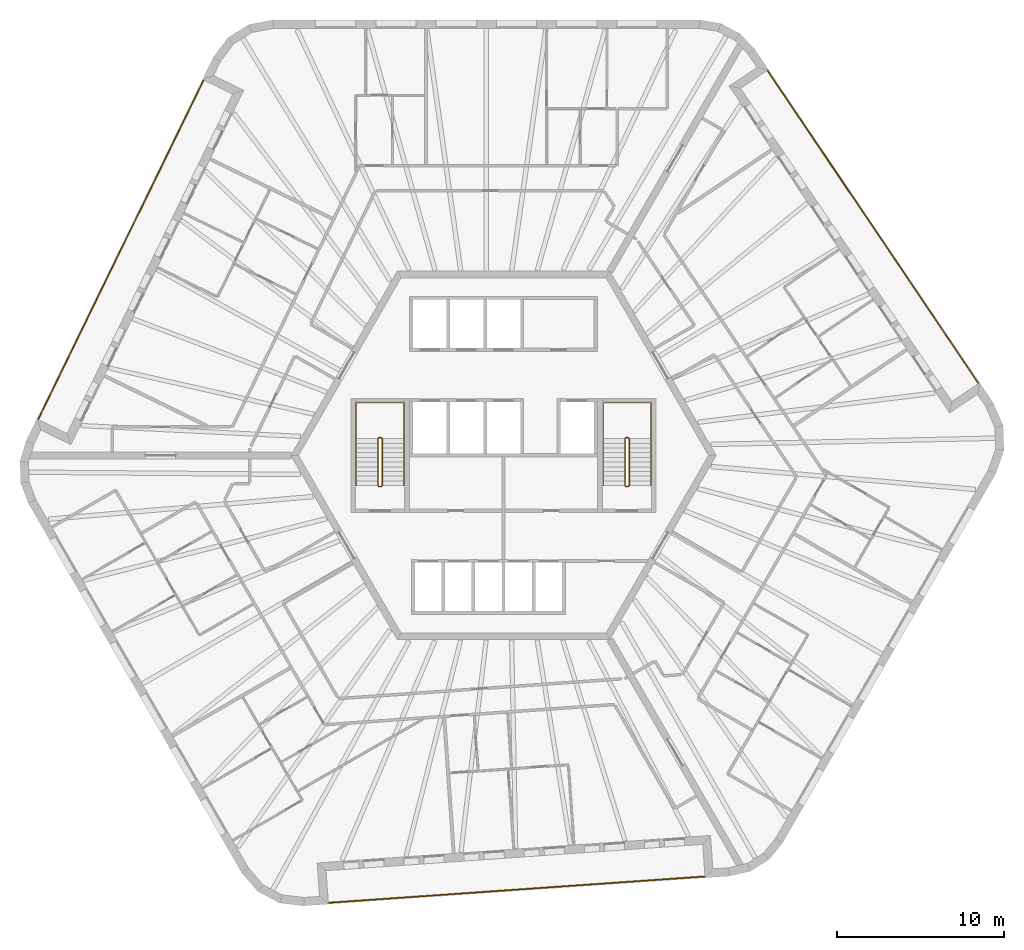
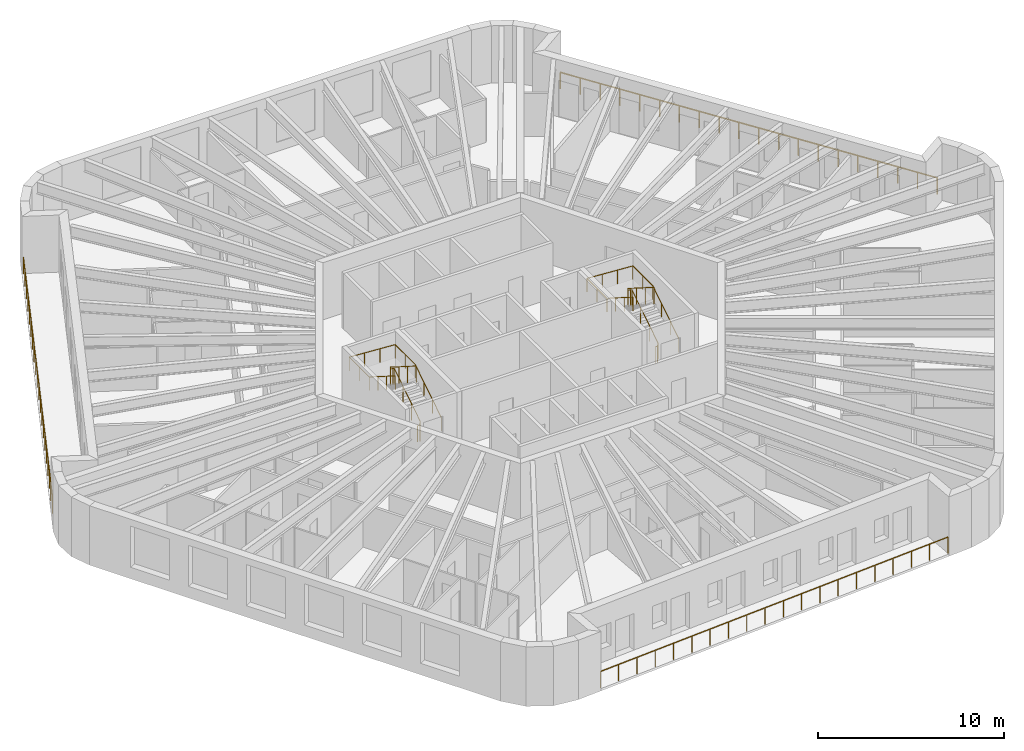
# One storey, part 12 of 12: 7 railings.
"""IFC4 building model written with IfcOpenShell, lengths in metres."""

from ifc_helpers import new_model, si_unit, direction, frame, origin, origin_2d, place, context, subcontext, project, spatial, circle, extrude, material, type_object, element, save


model = new_model("IFC4")

# Units and contexts
model_context = context("Model", 3, precision=1e-05, world=origin(), true_north=direction((0.0, 1.0)))
body_context = subcontext(model_context, "Body", "Model", "MODEL_VIEW")
ifc_project = project(units=[si_unit("LENGTHUNIT", "METRE"), si_unit("AREAUNIT", "SQUARE_METRE"), si_unit("VOLUMEUNIT", "CUBIC_METRE"), si_unit("PLANEANGLEUNIT", "RADIAN"), si_unit("MASSUNIT", "GRAM", prefix="KILO")], contexts=[model_context])

# Site, building, storey
site_placement = place(None, origin())
site = spatial("IfcSite", under=ifc_project, at=site_placement, CompositionType="ELEMENT")
building_placement = place(site_placement, origin())
building = spatial("IfcBuilding", under=site, at=building_placement, Name="Tarnside Tower", CompositionType="ELEMENT")
storey_placement = place(building_placement, frame((0.0, 0.0, 264.0)))
storey = spatial("IfcBuildingStorey", under=building, at=storey_placement, Name="L63", CompositionType="ELEMENT", Elevation=264.0)

# Railings
ifc_material_1 = material(Name="Toughened glass", Category="glass")
railing_type_1 = type_object("IfcRailingType", Name="Glass guard 1100", PredefinedType="GUARDRAIL", material=ifc_material_1)
railing_1_placement = place(storey_placement, frame((-17.906005859375, 22.415283203125, 0.0)))
element("IfcRailing", 1, at=railing_1_placement, inside=storey, type_object=railing_type_1, Name="Loggia guard L63 F2", PredefinedType="GUARDRAIL", context=body_context, shape_type="SweptSolid", body=[
    extrude(circle(Radius=0.030029296875, at=origin_2d()), frame((0.0, 0.0, 1.070068359375), z_axis=(-0.438372639335, -0.898793318335, 0.0), x_axis=(0.898793318335, -0.438372639335, 0.0)), (0.0, 0.0, 1.0), 22.544921875),
    extrude(circle(Radius=0.02490234375, at=origin_2d()), origin(), (0.0, 0.0, 1.0), 1.0400390625),
    extrude(circle(Radius=0.02490234375, at=origin_2d()), frame((-0.520263671875, -1.06640625, 0.0)), (0.0, 0.0, 1.0), 1.0400390625),
    extrude(circle(Radius=0.02490234375, at=origin_2d()), frame((-1.040283203125, -2.133056640625, 0.0)), (0.0, 0.0, 1.0), 1.0400390625),
    extrude(circle(Radius=0.02490234375, at=origin_2d()), frame((-1.560546875, -3.199462890625, 0.0)), (0.0, 0.0, 1.0), 1.0400390625),
    extrude(circle(Radius=0.02490234375, at=origin_2d()), frame((-2.08056640625, -4.265869140625, 0.0)), (0.0, 0.0, 1.0), 1.0400390625),
    extrude(circle(Radius=0.02490234375, at=origin_2d()), frame((-2.600830078125, -5.33251953125, 0.0)), (0.0, 0.0, 1.0), 1.0400390625),
    extrude(circle(Radius=0.02490234375, at=origin_2d()), frame((-3.120849609375, -6.39892578125, 0.0)), (0.0, 0.0, 1.0), 1.0400390625),
    extrude(circle(Radius=0.02490234375, at=origin_2d()), frame((-3.64111328125, -7.46533203125, 0.0)), (0.0, 0.0, 1.0), 1.0400390625),
    extrude(circle(Radius=0.02490234375, at=origin_2d()), frame((-4.161376953125, -8.531982421875, 0.0)), (0.0, 0.0, 1.0), 1.0400390625),
    extrude(circle(Radius=0.02490234375, at=origin_2d()), frame((-4.681396484375, -9.598388671875, 0.0)), (0.0, 0.0, 1.0), 1.0400390625),
    extrude(circle(Radius=0.02490234375, at=origin_2d()), frame((-5.20166015625, -10.664794921875, 0.0)), (0.0, 0.0, 1.0), 1.0400390625),
    extrude(circle(Radius=0.02490234375, at=origin_2d()), frame((-5.7216796875, -11.731201171875, 0.0)), (0.0, 0.0, 1.0), 1.0400390625),
    extrude(circle(Radius=0.02490234375, at=origin_2d()), frame((-6.241943359375, -12.7978515625, 0.0)), (0.0, 0.0, 1.0), 1.0400390625),
    extrude(circle(Radius=0.02490234375, at=origin_2d()), frame((-6.76220703125, -13.8642578125, 0.0)), (0.0, 0.0, 1.0), 1.0400390625),
    extrude(circle(Radius=0.02490234375, at=origin_2d()), frame((-7.2822265625, -14.9306640625, 0.0)), (0.0, 0.0, 1.0), 1.0400390625),
    extrude(circle(Radius=0.02490234375, at=origin_2d()), frame((-7.802490234375, -15.997314453125, 0.0)), (0.0, 0.0, 1.0), 1.0400390625),
    extrude(circle(Radius=0.02490234375, at=origin_2d()), frame((-8.322509765625, -17.063720703125, 0.0)), (0.0, 0.0, 1.0), 1.0400390625),
    extrude(circle(Radius=0.02490234375, at=origin_2d()), frame((-8.8427734375, -18.130126953125, 0.0)), (0.0, 0.0, 1.0), 1.0400390625),
    extrude(circle(Radius=0.02490234375, at=origin_2d()), frame((-9.36279296875, -19.19677734375, 0.0)), (0.0, 0.0, 1.0), 1.0400390625),
    extrude(circle(Radius=0.02490234375, at=origin_2d()), frame((-9.883056640625, -20.26318359375, 0.0)), (0.0, 0.0, 1.0), 1.0400390625),
])
railing_2_placement = place(storey_placement, frame((-10.458984375, -26.714599609375, 0.0)))
element("IfcRailing", 2, at=railing_2_placement, inside=storey, type_object=railing_type_1, Name="Loggia guard L63 F4", PredefinedType="GUARDRAIL", context=body_context, shape_type="SweptSolid", body=[
    extrude(circle(Radius=0.030029296875, at=origin_2d()), frame((0.0, 0.0, 1.070068359375), z_axis=(0.997564440639, 0.069750890837, 0.0), x_axis=(-0.069750890837, 0.997564440639, 0.0)), (0.0, 0.0, 1.0), 22.544677734375),
    extrude(circle(Radius=0.02490234375, at=origin_2d()), origin(), (0.0, 0.0, 1.0), 1.0400390625),
    extrude(circle(Radius=0.02490234375, at=origin_2d()), frame((1.18359375, 0.082763671875, 0.0)), (0.0, 0.0, 1.0), 1.0400390625),
    extrude(circle(Radius=0.02490234375, at=origin_2d()), frame((2.367431640625, 0.16552734375, 0.0)), (0.0, 0.0, 1.0), 1.0400390625),
    extrude(circle(Radius=0.02490234375, at=origin_2d()), frame((3.551025390625, 0.248291015625, 0.0)), (0.0, 0.0, 1.0), 1.0400390625),
    extrude(circle(Radius=0.02490234375, at=origin_2d()), frame((4.734619140625, 0.3310546875, 0.0)), (0.0, 0.0, 1.0), 1.0400390625),
    extrude(circle(Radius=0.02490234375, at=origin_2d()), frame((5.91845703125, 0.413818359375, 0.0)), (0.0, 0.0, 1.0), 1.0400390625),
    extrude(circle(Radius=0.02490234375, at=origin_2d()), frame((7.10205078125, 0.49658203125, 0.0)), (0.0, 0.0, 1.0), 1.0400390625),
    extrude(circle(Radius=0.02490234375, at=origin_2d()), frame((8.28564453125, 0.579345703125, 0.0)), (0.0, 0.0, 1.0), 1.0400390625),
    extrude(circle(Radius=0.02490234375, at=origin_2d()), frame((9.469482421875, 0.662109375, 0.0)), (0.0, 0.0, 1.0), 1.0400390625),
    extrude(circle(Radius=0.02490234375, at=origin_2d()), frame((10.653076171875, 0.744873046875, 0.0)), (0.0, 0.0, 1.0), 1.0400390625),
    extrude(circle(Radius=0.02490234375, at=origin_2d()), frame((11.836669921875, 0.82763671875, 0.0)), (0.0, 0.0, 1.0), 1.0400390625),
    extrude(circle(Radius=0.02490234375, at=origin_2d()), frame((13.020263671875, 0.910400390625, 0.0)), (0.0, 0.0, 1.0), 1.0400390625),
    extrude(circle(Radius=0.02490234375, at=origin_2d()), frame((14.2041015625, 0.9931640625, 0.0)), (0.0, 0.0, 1.0), 1.0400390625),
    extrude(circle(Radius=0.02490234375, at=origin_2d()), frame((15.3876953125, 1.075927734375, 0.0)), (0.0, 0.0, 1.0), 1.0400390625),
    extrude(circle(Radius=0.02490234375, at=origin_2d()), frame((16.5712890625, 1.15869140625, 0.0)), (0.0, 0.0, 1.0), 1.0400390625),
    extrude(circle(Radius=0.02490234375, at=origin_2d()), frame((17.755126953125, 1.241455078125, 0.0)), (0.0, 0.0, 1.0), 1.0400390625),
    extrude(circle(Radius=0.02490234375, at=origin_2d()), frame((18.938720703125, 1.32421875, 0.0)), (0.0, 0.0, 1.0), 1.0400390625),
    extrude(circle(Radius=0.02490234375, at=origin_2d()), frame((20.122314453125, 1.406982421875, 0.0)), (0.0, 0.0, 1.0), 1.0400390625),
    extrude(circle(Radius=0.02490234375, at=origin_2d()), frame((21.30615234375, 1.48974609375, 0.0)), (0.0, 0.0, 1.0), 1.0400390625),
    extrude(circle(Radius=0.02490234375, at=origin_2d()), frame((22.48974609375, 1.572509765625, 0.0)), (0.0, 0.0, 1.0), 1.0400390625),
])
railing_3_placement = place(storey_placement, frame((28.365234375, 4.299560546875, 0.0)))
element("IfcRailing", 3, at=railing_3_placement, inside=storey, type_object=railing_type_1, Name="Loggia guard L63 F6", PredefinedType="GUARDRAIL", context=body_context, shape_type="SweptSolid", body=[
    extrude(circle(Radius=0.030029296875, at=origin_2d()), frame((0.0, 0.0, 1.070068359375), z_axis=(-0.559195329741, 0.82903593601, 0.0), x_axis=(-0.82903593601, -0.559195329741, 0.0)), (0.0, 0.0, 1.0), 22.544677734375),
    extrude(circle(Radius=0.02490234375, at=origin_2d()), origin(), (0.0, 0.0, 1.0), 1.0400390625),
    extrude(circle(Radius=0.02490234375, at=origin_2d()), frame((-0.66357421875, 0.983642578125, 0.0)), (0.0, 0.0, 1.0), 1.0400390625),
    extrude(circle(Radius=0.02490234375, at=origin_2d()), frame((-1.3271484375, 1.967529296875, 0.0)), (0.0, 0.0, 1.0), 1.0400390625),
    extrude(circle(Radius=0.02490234375, at=origin_2d()), frame((-1.990478515625, 2.951171875, 0.0)), (0.0, 0.0, 1.0), 1.0400390625),
    extrude(circle(Radius=0.02490234375, at=origin_2d()), frame((-2.654052734375, 3.934814453125, 0.0)), (0.0, 0.0, 1.0), 1.0400390625),
    extrude(circle(Radius=0.02490234375, at=origin_2d()), frame((-3.317626953125, 4.91845703125, 0.0)), (0.0, 0.0, 1.0), 1.0400390625),
    extrude(circle(Radius=0.02490234375, at=origin_2d()), frame((-3.981201171875, 5.90234375, 0.0)), (0.0, 0.0, 1.0), 1.0400390625),
    extrude(circle(Radius=0.02490234375, at=origin_2d()), frame((-4.644775390625, 6.885986328125, 0.0)), (0.0, 0.0, 1.0), 1.0400390625),
    extrude(circle(Radius=0.02490234375, at=origin_2d()), frame((-5.30810546875, 7.86962890625, 0.0)), (0.0, 0.0, 1.0), 1.0400390625),
    extrude(circle(Radius=0.02490234375, at=origin_2d()), frame((-5.9716796875, 8.853271484375, 0.0)), (0.0, 0.0, 1.0), 1.0400390625),
    extrude(circle(Radius=0.02490234375, at=origin_2d()), frame((-6.63525390625, 9.837158203125, 0.0)), (0.0, 0.0, 1.0), 1.0400390625),
    extrude(circle(Radius=0.02490234375, at=origin_2d()), frame((-7.298828125, 10.82080078125, 0.0)), (0.0, 0.0, 1.0), 1.0400390625),
    extrude(circle(Radius=0.02490234375, at=origin_2d()), frame((-7.962158203125, 11.804443359375, 0.0)), (0.0, 0.0, 1.0), 1.0400390625),
    extrude(circle(Radius=0.02490234375, at=origin_2d()), frame((-8.625732421875, 12.7880859375, 0.0)), (0.0, 0.0, 1.0), 1.0400390625),
    extrude(circle(Radius=0.02490234375, at=origin_2d()), frame((-9.289306640625, 13.77197265625, 0.0)), (0.0, 0.0, 1.0), 1.0400390625),
    extrude(circle(Radius=0.02490234375, at=origin_2d()), frame((-9.952880859375, 14.755615234375, 0.0)), (0.0, 0.0, 1.0), 1.0400390625),
    extrude(circle(Radius=0.02490234375, at=origin_2d()), frame((-10.616455078125, 15.7392578125, 0.0)), (0.0, 0.0, 1.0), 1.0400390625),
    extrude(circle(Radius=0.02490234375, at=origin_2d()), frame((-11.27978515625, 16.722900390625, 0.0)), (0.0, 0.0, 1.0), 1.0400390625),
    extrude(circle(Radius=0.02490234375, at=origin_2d()), frame((-11.943359375, 17.706787109375, 0.0)), (0.0, 0.0, 1.0), 1.0400390625),
    extrude(circle(Radius=0.02490234375, at=origin_2d()), frame((-12.60693359375, 18.6904296875, 0.0)), (0.0, 0.0, 1.0), 1.0400390625),
])
ifc_material_2 = material(Name="Stainless steel", Category="steel")
railing_type_2 = type_object("IfcRailingType", Name="Stair guard 1100", PredefinedType="GUARDRAIL", material=ifc_material_2)
railing_4_placement = place(storey_placement, frame((7.300048828125, -1.85009765625, 0.0)))
element("IfcRailing", 4, at=railing_4_placement, inside=storey, type_object=railing_type_2, Name="L63 ST1 stair guard 1", PredefinedType="GUARDRAIL", context=body_context, shape_type="SweptSolid", body=[
    extrude(circle(Radius=0.02392578125, at=origin_2d()), frame((0.0, 0.0, 1.076171875), z_axis=(1.0, 0.0, 0.0), x_axis=(0.0, 1.0, 0.0)), (0.0, 0.0, 1.0), 0.14990234375),
    extrude(circle(Radius=0.02392578125, at=origin_2d()), frame((0.14990234375, 0.0, 1.076171875), z_axis=(0.262233686654, 0.262233686654, 0.928691007369), x_axis=(-0.707106781187, 0.707106781187, 0.0)), (0.0, 0.0, 1.0), 0.19091796875),
    extrude(circle(Radius=0.02392578125, at=origin_2d()), frame((0.199951171875, 0.050048828125, 1.25341796875), z_axis=(0.0, 0.844908973607, 0.534910110503), x_axis=(-1.0, 0.0, 0.0)), (0.0, 0.0, 1.0), 3.31396484375),
    extrude(circle(Radius=0.02392578125, at=origin_2d()), frame((0.199951171875, 2.85009765625, 3.02587890625), z_axis=(-0.707106781187, 0.707106781187, 0.0), x_axis=(-0.707106781187, -0.707106781187, 0.0)), (0.0, 0.0, 1.0), 0.07080078125),
    extrude(circle(Radius=0.02392578125, at=origin_2d()), frame((0.14990234375, 2.900146484375, 3.02587890625), z_axis=(-1.0, 0.0, 0.0), x_axis=(0.0, -1.0, 0.0)), (0.0, 0.0, 1.0), 0.14990234375),
    extrude(circle(Radius=0.02392578125, at=origin_2d()), frame((0.0, 2.900146484375, 3.02587890625), z_axis=(-0.262233686654, -0.262233686654, 0.928691007369), x_axis=(0.707106781187, -0.707106781187, 0.0)), (0.0, 0.0, 1.0), 0.19091796875),
    extrude(circle(Radius=0.02392578125, at=origin_2d()), frame((-0.050048828125, 2.85009765625, 3.203125), z_axis=(0.0, -0.844908973607, 0.534910110503), x_axis=(1.0, 0.0, 0.0)), (0.0, 0.0, 1.0), 3.31396484375),
    extrude(circle(Radius=0.02099609375, at=origin_2d()), origin(), (0.0, 0.0, 1.0), 1.052001953125),
    extrude(circle(Radius=0.02099609375, at=origin_2d()), frame((0.14990234375, 0.0, 0.0)), (0.0, 0.0, 1.0), 1.052001953125),
    extrude(circle(Radius=0.02099609375, at=origin_2d()), frame((0.199951171875, 0.050048828125, 0.17724609375)), (0.0, 0.0, 1.0), 1.052001953125),
    extrude(circle(Radius=0.02099609375, at=origin_2d()), frame((0.199951171875, 0.9833984375, 0.76806640625)), (0.0, 0.0, 1.0), 1.052001953125),
    extrude(circle(Radius=0.02099609375, at=origin_2d()), frame((0.199951171875, 1.916748046875, 1.359130859375)), (0.0, 0.0, 1.0), 1.052001953125),
    extrude(circle(Radius=0.02099609375, at=origin_2d()), frame((0.199951171875, 2.85009765625, 1.949951171875)), (0.0, 0.0, 1.0), 1.052001953125),
    extrude(circle(Radius=0.02099609375, at=origin_2d()), frame((0.14990234375, 2.900146484375, 1.949951171875)), (0.0, 0.0, 1.0), 1.052001953125),
    extrude(circle(Radius=0.02099609375, at=origin_2d()), frame((0.0, 2.900146484375, 1.949951171875)), (0.0, 0.0, 1.0), 1.052001953125),
    extrude(circle(Radius=0.02099609375, at=origin_2d()), frame((-0.050048828125, 2.85009765625, 2.127197265625)), (0.0, 0.0, 1.0), 1.052001953125),
    extrude(circle(Radius=0.02099609375, at=origin_2d()), frame((-0.050048828125, 1.916748046875, 2.718017578125)), (0.0, 0.0, 1.0), 1.052001953125),
    extrude(circle(Radius=0.02099609375, at=origin_2d()), frame((-0.050048828125, 0.9833984375, 3.30908203125)), (0.0, 0.0, 1.0), 1.052001953125),
    extrude(circle(Radius=0.02099609375, at=origin_2d()), frame((-0.050048828125, 0.050048828125, 3.89990234375)), (0.0, 0.0, 1.0), 1.052001953125),
])
railing_5_placement = place(storey_placement, frame((-7.449951171875, -1.85009765625, 0.0)))
element("IfcRailing", 5, at=railing_5_placement, inside=storey, type_object=railing_type_2, Name="L63 ST2 stair guard 1", PredefinedType="GUARDRAIL", context=body_context, shape_type="SweptSolid", body=[
    extrude(circle(Radius=0.02392578125, at=origin_2d()), frame((0.0, 0.0, 1.076171875), z_axis=(1.0, 0.0, 0.0), x_axis=(0.0, 1.0, 0.0)), (0.0, 0.0, 1.0), 0.14990234375),
    extrude(circle(Radius=0.02392578125, at=origin_2d()), frame((0.14990234375, 0.0, 1.076171875), z_axis=(0.262233686654, 0.262233686654, 0.928691007369), x_axis=(-0.707106781187, 0.707106781187, 0.0)), (0.0, 0.0, 1.0), 0.19091796875),
    extrude(circle(Radius=0.02392578125, at=origin_2d()), frame((0.199951171875, 0.050048828125, 1.25341796875), z_axis=(0.0, 0.844908973607, 0.534910110503), x_axis=(-1.0, 0.0, 0.0)), (0.0, 0.0, 1.0), 3.31396484375),
    extrude(circle(Radius=0.02392578125, at=origin_2d()), frame((0.199951171875, 2.85009765625, 3.02587890625), z_axis=(-0.707106781187, 0.707106781187, 0.0), x_axis=(-0.707106781187, -0.707106781187, 0.0)), (0.0, 0.0, 1.0), 0.07080078125),
    extrude(circle(Radius=0.02392578125, at=origin_2d()), frame((0.14990234375, 2.900146484375, 3.02587890625), z_axis=(-1.0, 0.0, 0.0), x_axis=(0.0, -1.0, 0.0)), (0.0, 0.0, 1.0), 0.14990234375),
    extrude(circle(Radius=0.02392578125, at=origin_2d()), frame((0.0, 2.900146484375, 3.02587890625), z_axis=(-0.262233686654, -0.262233686654, 0.928691007369), x_axis=(0.707106781187, -0.707106781187, 0.0)), (0.0, 0.0, 1.0), 0.19091796875),
    extrude(circle(Radius=0.02392578125, at=origin_2d()), frame((-0.050048828125, 2.85009765625, 3.203125), z_axis=(0.0, -0.844908973607, 0.534910110503), x_axis=(1.0, 0.0, 0.0)), (0.0, 0.0, 1.0), 3.31396484375),
    extrude(circle(Radius=0.02099609375, at=origin_2d()), origin(), (0.0, 0.0, 1.0), 1.052001953125),
    extrude(circle(Radius=0.02099609375, at=origin_2d()), frame((0.14990234375, 0.0, 0.0)), (0.0, 0.0, 1.0), 1.052001953125),
    extrude(circle(Radius=0.02099609375, at=origin_2d()), frame((0.199951171875, 0.050048828125, 0.17724609375)), (0.0, 0.0, 1.0), 1.052001953125),
    extrude(circle(Radius=0.02099609375, at=origin_2d()), frame((0.199951171875, 0.9833984375, 0.76806640625)), (0.0, 0.0, 1.0), 1.052001953125),
    extrude(circle(Radius=0.02099609375, at=origin_2d()), frame((0.199951171875, 1.916748046875, 1.359130859375)), (0.0, 0.0, 1.0), 1.052001953125),
    extrude(circle(Radius=0.02099609375, at=origin_2d()), frame((0.199951171875, 2.85009765625, 1.949951171875)), (0.0, 0.0, 1.0), 1.052001953125),
    extrude(circle(Radius=0.02099609375, at=origin_2d()), frame((0.14990234375, 2.900146484375, 1.949951171875)), (0.0, 0.0, 1.0), 1.052001953125),
    extrude(circle(Radius=0.02099609375, at=origin_2d()), frame((0.0, 2.900146484375, 1.949951171875)), (0.0, 0.0, 1.0), 1.052001953125),
    extrude(circle(Radius=0.02099609375, at=origin_2d()), frame((-0.050048828125, 2.85009765625, 2.127197265625)), (0.0, 0.0, 1.0), 1.052001953125),
    extrude(circle(Radius=0.02099609375, at=origin_2d()), frame((-0.050048828125, 1.916748046875, 2.718017578125)), (0.0, 0.0, 1.0), 1.052001953125),
    extrude(circle(Radius=0.02099609375, at=origin_2d()), frame((-0.050048828125, 0.9833984375, 3.30908203125)), (0.0, 0.0, 1.0), 1.052001953125),
    extrude(circle(Radius=0.02099609375, at=origin_2d()), frame((-0.050048828125, 0.050048828125, 3.89990234375)), (0.0, 0.0, 1.0), 1.052001953125),
])
railing_type_3 = type_object("IfcRailingType", Name="Stair handrail 900", PredefinedType="HANDRAIL", material=ifc_material_2)
railing_6_placement = place(storey_placement, frame((8.800048828125, -1.800048828125, 0.17724609375)))
element("IfcRailing", 6, at=railing_6_placement, inside=storey, type_object=railing_type_3, Name="L63 ST1 stair handrail 1", PredefinedType="HANDRAIL", context=body_context, shape_type="SweptSolid", body=[
    extrude(circle(Radius=0.02392578125, at=origin_2d()), frame((0.0, 0.0, 0.8857421875), z_axis=(0.0, 0.844908973607, 0.534910110503), x_axis=(-1.0, 0.0, 0.0)), (0.0, 0.0, 1.0), 3.31396484375),
    extrude(circle(Radius=0.02392578125, at=origin_2d()), frame((0.0, 2.800048828125, 2.65869140625), z_axis=(0.0, 1.0, 0.0), x_axis=(-1.0, 0.0, 0.0)), (0.0, 0.0, 1.0), 2.14990234375),
    extrude(circle(Radius=0.02392578125, at=origin_2d()), frame((0.0, 4.949951171875, 2.65869140625), z_axis=(-0.998071825391, 0.0, 0.06206956872), x_axis=(0.0, -1.0, 0.0)), (0.0, 0.0, 1.0), 2.855712890625),
    extrude(circle(Radius=0.02392578125, at=origin_2d()), frame((-2.85009765625, 4.949951171875, 2.8359375), z_axis=(0.0, -1.0, 0.0), x_axis=(1.0, 0.0, 0.0)), (0.0, 0.0, 1.0), 2.14990234375),
    extrude(circle(Radius=0.02392578125, at=origin_2d()), frame((-2.85009765625, 2.800048828125, 2.8359375), z_axis=(0.0, -0.844908973607, 0.534910110503), x_axis=(1.0, 0.0, 0.0)), (0.0, 0.0, 1.0), 3.31396484375),
    extrude(circle(Radius=0.02099609375, at=origin_2d()), origin(), (0.0, 0.0, 1.0), 0.86181640625),
    extrude(circle(Radius=0.02099609375, at=origin_2d()), frame((0.0, 0.933349609375, 0.5908203125)), (0.0, 0.0, 1.0), 0.86181640625),
    extrude(circle(Radius=0.02099609375, at=origin_2d()), frame((0.0, 1.86669921875, 1.181884765625)), (0.0, 0.0, 1.0), 0.86181640625),
    extrude(circle(Radius=0.02099609375, at=origin_2d()), frame((0.0, 2.800048828125, 1.772705078125)), (0.0, 0.0, 1.0), 0.86181640625),
    extrude(circle(Radius=0.02099609375, at=origin_2d()), frame((0.0, 3.875, 1.772705078125)), (0.0, 0.0, 1.0), 0.86181640625),
    extrude(circle(Radius=0.02099609375, at=origin_2d()), frame((0.0, 4.949951171875, 1.772705078125)), (0.0, 0.0, 1.0), 0.86181640625),
    extrude(circle(Radius=0.02099609375, at=origin_2d()), frame((-0.949951171875, 4.949951171875, 1.831787109375)), (0.0, 0.0, 1.0), 0.86181640625),
    extrude(circle(Radius=0.02099609375, at=origin_2d()), frame((-1.900146484375, 4.949951171875, 1.890869140625)), (0.0, 0.0, 1.0), 0.86181640625),
    extrude(circle(Radius=0.02099609375, at=origin_2d()), frame((-2.85009765625, 4.949951171875, 1.949951171875)), (0.0, 0.0, 1.0), 0.86181640625),
    extrude(circle(Radius=0.02099609375, at=origin_2d()), frame((-2.85009765625, 3.875, 1.949951171875)), (0.0, 0.0, 1.0), 0.86181640625),
    extrude(circle(Radius=0.02099609375, at=origin_2d()), frame((-2.85009765625, 2.800048828125, 1.949951171875)), (0.0, 0.0, 1.0), 0.86181640625),
    extrude(circle(Radius=0.02099609375, at=origin_2d()), frame((-2.85009765625, 1.86669921875, 2.540771484375)), (0.0, 0.0, 1.0), 0.86181640625),
    extrude(circle(Radius=0.02099609375, at=origin_2d()), frame((-2.85009765625, 0.933349609375, 3.1318359375)), (0.0, 0.0, 1.0), 0.86181640625),
    extrude(circle(Radius=0.02099609375, at=origin_2d()), frame((-2.85009765625, 0.0, 3.72265625)), (0.0, 0.0, 1.0), 0.86181640625),
])
railing_7_placement = place(storey_placement, frame((-5.949951171875, -1.800048828125, 0.17724609375)))
element("IfcRailing", 7, at=railing_7_placement, inside=storey, type_object=railing_type_3, Name="L63 ST2 stair handrail 1", PredefinedType="HANDRAIL", context=body_context, shape_type="SweptSolid", body=[
    extrude(circle(Radius=0.02392578125, at=origin_2d()), frame((0.0, 0.0, 0.8857421875), z_axis=(0.0, 0.844908973607, 0.534910110503), x_axis=(-1.0, 0.0, 0.0)), (0.0, 0.0, 1.0), 3.31396484375),
    extrude(circle(Radius=0.02392578125, at=origin_2d()), frame((0.0, 2.800048828125, 2.65869140625), z_axis=(0.0, 1.0, 0.0), x_axis=(-1.0, 0.0, 0.0)), (0.0, 0.0, 1.0), 2.14990234375),
    extrude(circle(Radius=0.02392578125, at=origin_2d()), frame((0.0, 4.949951171875, 2.65869140625), z_axis=(-0.998071825391, 0.0, 0.06206956872), x_axis=(0.0, -1.0, 0.0)), (0.0, 0.0, 1.0), 2.855712890625),
    extrude(circle(Radius=0.02392578125, at=origin_2d()), frame((-2.85009765625, 4.949951171875, 2.8359375), z_axis=(0.0, -1.0, 0.0), x_axis=(1.0, 0.0, 0.0)), (0.0, 0.0, 1.0), 2.14990234375),
    extrude(circle(Radius=0.02392578125, at=origin_2d()), frame((-2.85009765625, 2.800048828125, 2.8359375), z_axis=(0.0, -0.844908973607, 0.534910110503), x_axis=(1.0, 0.0, 0.0)), (0.0, 0.0, 1.0), 3.31396484375),
    extrude(circle(Radius=0.02099609375, at=origin_2d()), origin(), (0.0, 0.0, 1.0), 0.86181640625),
    extrude(circle(Radius=0.02099609375, at=origin_2d()), frame((0.0, 0.933349609375, 0.5908203125)), (0.0, 0.0, 1.0), 0.86181640625),
    extrude(circle(Radius=0.02099609375, at=origin_2d()), frame((0.0, 1.86669921875, 1.181884765625)), (0.0, 0.0, 1.0), 0.86181640625),
    extrude(circle(Radius=0.02099609375, at=origin_2d()), frame((0.0, 2.800048828125, 1.772705078125)), (0.0, 0.0, 1.0), 0.86181640625),
    extrude(circle(Radius=0.02099609375, at=origin_2d()), frame((0.0, 3.875, 1.772705078125)), (0.0, 0.0, 1.0), 0.86181640625),
    extrude(circle(Radius=0.02099609375, at=origin_2d()), frame((0.0, 4.949951171875, 1.772705078125)), (0.0, 0.0, 1.0), 0.86181640625),
    extrude(circle(Radius=0.02099609375, at=origin_2d()), frame((-0.949951171875, 4.949951171875, 1.831787109375)), (0.0, 0.0, 1.0), 0.86181640625),
    extrude(circle(Radius=0.02099609375, at=origin_2d()), frame((-1.900146484375, 4.949951171875, 1.890869140625)), (0.0, 0.0, 1.0), 0.86181640625),
    extrude(circle(Radius=0.02099609375, at=origin_2d()), frame((-2.85009765625, 4.949951171875, 1.949951171875)), (0.0, 0.0, 1.0), 0.86181640625),
    extrude(circle(Radius=0.02099609375, at=origin_2d()), frame((-2.85009765625, 3.875, 1.949951171875)), (0.0, 0.0, 1.0), 0.86181640625),
    extrude(circle(Radius=0.02099609375, at=origin_2d()), frame((-2.85009765625, 2.800048828125, 1.949951171875)), (0.0, 0.0, 1.0), 0.86181640625),
    extrude(circle(Radius=0.02099609375, at=origin_2d()), frame((-2.85009765625, 1.86669921875, 2.540771484375)), (0.0, 0.0, 1.0), 0.86181640625),
    extrude(circle(Radius=0.02099609375, at=origin_2d()), frame((-2.85009765625, 0.933349609375, 3.1318359375)), (0.0, 0.0, 1.0), 0.86181640625),
    extrude(circle(Radius=0.02099609375, at=origin_2d()), frame((-2.85009765625, 0.0, 3.72265625)), (0.0, 0.0, 1.0), 0.86181640625),
])

save(model, "model.ifc")
